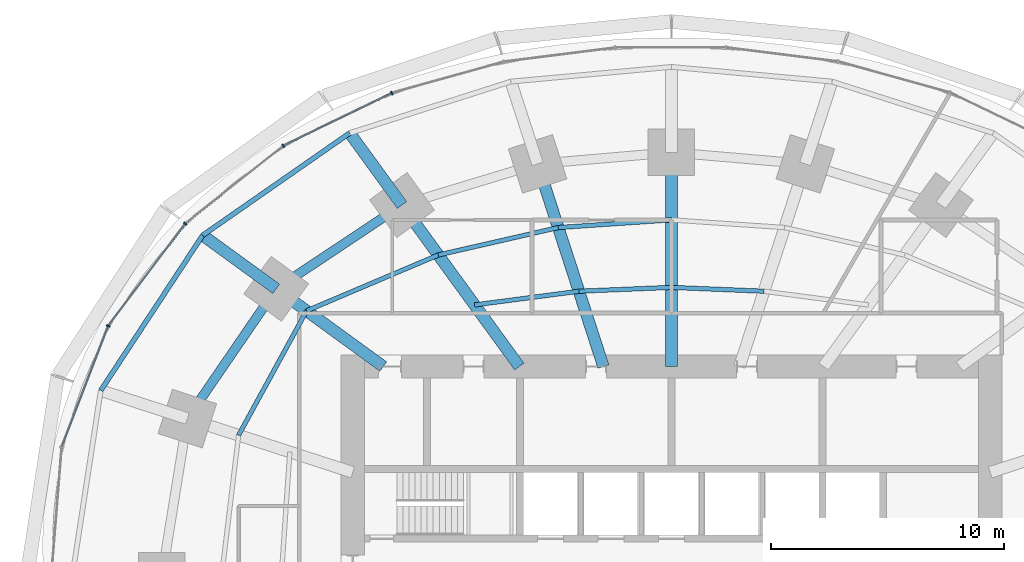
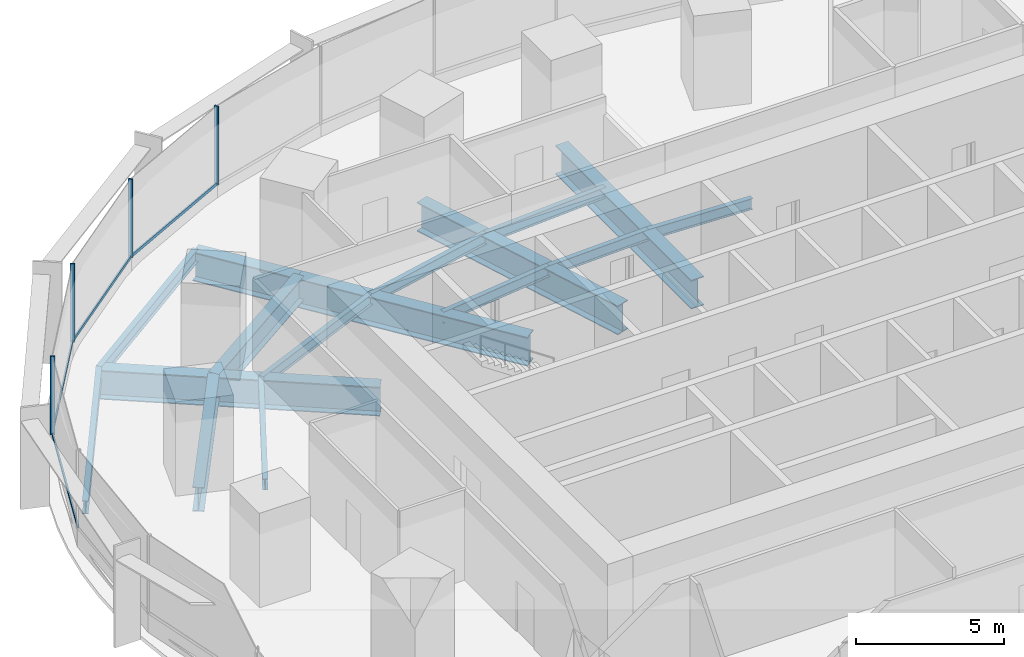
# One storey, part 7 of 15: 17 beams, 8 members, 1 element without a shape of its own.
"""IFC4 building model written with IfcOpenShell, lengths in metres."""

import ifcopenshell
import ifcopenshell.guid

model = None  # the IFC model being written
_history = None  # IfcOwnerHistory: only IFC2X3 demands one
_inside = {}  # id of a spatial element -> (the spatial element, [elements in it])
_under = {}  # id of a project, library or spatial element -> (it, [spatial elements below it])
_declared = {}  # id of a project -> (the project, [libraries it declares])
_typed = {}  # id of a type object -> (the type object, [elements of that type])
_made_of = {}  # id of a material, layer set ... -> (it, [elements and type objects made of it])


def new_model(schema):
    """Start an empty IFC model of exactly this schema.

    Asked for "IFC4X3", IfcOpenShell would pick the latest addendum, in which some entities
    have other attributes; the version numbers below select the first issue.
    IFC2X3 requires an IfcOwnerHistory on every rooted entity: one is made here for all.
    """
    global model, _history
    if schema == "IFC4X3":
        model = ifcopenshell.file(schema_version=(4, 3, 0, 0))
    else:
        model = ifcopenshell.file(schema=schema)
    _inside.clear()
    _under.clear()
    _declared.clear()
    _typed.clear()
    _made_of.clear()
    _history = None
    if model.schema == "IFC2X3":
        org = make("IfcOrganization", Name="unknown")
        user = make(
            "IfcPersonAndOrganization",
            ThePerson=make("IfcPerson", FamilyName="unknown"),
            TheOrganization=org,
        )
        app = make(
            "IfcApplication",
            ApplicationDeveloper=org,
            Version="unknown",
            ApplicationFullName="unknown",
            ApplicationIdentifier="unknown",
        )
        _history = make(
            "IfcOwnerHistory",
            OwningUser=user,
            OwningApplication=app,
            ChangeAction="ADDED",
            CreationDate=0,
        )
    return model


def make(cls, **values):
    """One entity of the class cls with the attributes given. An attribute that is None is left unset."""
    return model.create_entity(
        cls, **{name: value for name, value in values.items() if value is not None}
    )


def rooted(cls, **values):
    """An entity with a GlobalId (a new one), such as an element, a storey or a relation."""
    return make(cls, GlobalId=ifcopenshell.guid.new(), OwnerHistory=_history, **values)


def si_unit(unit_type, name, prefix=None):
    """IfcSIUnit, for example si_unit("LENGTHUNIT", "METRE", prefix="MILLI")."""
    return make("IfcSIUnit", UnitType=unit_type, Prefix=prefix, Name=name)


def assignment(units):
    """IfcUnitAssignment: the units of a project."""
    return None if units is None else make("IfcUnitAssignment", Units=units)


def point(xyz):
    """IfcCartesianPoint."""
    return None if xyz is None else make("IfcCartesianPoint", Coordinates=xyz)


def direction(xyz):
    """IfcDirection."""
    return None if xyz is None else make("IfcDirection", DirectionRatios=xyz)


def frame(location, z_axis=None, x_axis=None):
    """IfcAxis2Placement3D, a coordinate frame: its origin and axes. An axis left out is left unset."""
    return make(
        "IfcAxis2Placement3D",
        Location=point(location),
        Axis=direction(z_axis),
        RefDirection=direction(x_axis),
    )


def frame_2d(location, x_axis=None):
    """IfcAxis2Placement2D, a coordinate frame in the plane: its origin and x axis."""
    return make(
        "IfcAxis2Placement2D", Location=point(location), RefDirection=direction(x_axis)
    )


def origin():
    """The frame at (0, 0, 0) with its axes left unset."""
    return frame((0.0, 0.0, 0.0))


def origin_2d():
    """The frame at (0, 0) in the plane with its x axis left unset."""
    return frame_2d((0.0, 0.0))


def place(relative_to, where):
    """IfcLocalPlacement: puts the frame where relative to a parent placement (None: the world)."""
    return make(
        "IfcLocalPlacement", PlacementRelTo=relative_to, RelativePlacement=where
    )


def context(
    kind, dimensions, precision=None, world=None, true_north=None, identifier=None
):
    """IfcGeometricRepresentationContext, for example the 3D "Model" context."""
    return make(
        "IfcGeometricRepresentationContext",
        ContextIdentifier=identifier,
        ContextType=kind,
        CoordinateSpaceDimension=dimensions,
        Precision=precision,
        WorldCoordinateSystem=world,
        TrueNorth=true_north,
    )


def subcontext(parent, identifier, kind, view, scale=None):
    """IfcGeometricRepresentationSubContext, for example "Body" below "Model"."""
    return make(
        "IfcGeometricRepresentationSubContext",
        ContextIdentifier=identifier,
        ContextType=kind,
        ParentContext=parent,
        TargetScale=scale,
        TargetView=view,
    )


def project(units=None, contexts=None):
    """IfcProject with its units and contexts."""
    return rooted(
        "IfcProject",
        Name="project",
        RepresentationContexts=contexts,
        UnitsInContext=assignment(units),
    )


def spatial(cls, under=None, at=None, **own):
    """A site, building, storey or space (cls), placed at a placement, below another one or the project."""
    s = rooted(cls, ObjectPlacement=at, **own)
    if under is not None:
        _under.setdefault(under.id(), (under, []))[1].append(s)
    return s


def profile(cls, at=None, kind="AREA", **sizes):
    """A parametric profile (cls). Its sizes go by their IFC names, for example OverallWidth=200.0."""
    return make(cls, ProfileType=kind, Position=at, **sizes)


def rectangle(**sizes):
    """IfcRectangleProfileDef."""
    return profile("IfcRectangleProfileDef", **sizes)


def i_section(**sizes):
    """IfcIShapeProfileDef."""
    return profile("IfcIShapeProfileDef", **sizes)


def extrude(swept, where, along, depth):
    """IfcExtrudedAreaSolid: the profile swept, set in the frame where, extruded along a direction by depth."""
    return make(
        "IfcExtrudedAreaSolid",
        SweptArea=swept,
        Position=where,
        ExtrudedDirection=direction(along),
        Depth=depth,
    )


def shape(context_of_items, identifier, shape_type, items):
    """IfcShapeRepresentation: the items that make up one representation, for example the "Body"."""
    return make(
        "IfcShapeRepresentation",
        ContextOfItems=context_of_items,
        RepresentationIdentifier=identifier,
        RepresentationType=shape_type,
        Items=items,
    )


def material(Name=None, Category=None):
    """IfcMaterial."""
    return make("IfcMaterial", Name=Name, Category=Category)


def material_profile(
    of_material, cross_section, Name=None, Category=None, Priority=None
):
    """IfcMaterialProfile: a cross section and its material."""
    return make(
        "IfcMaterialProfile",
        Name=Name,
        Material=of_material,
        Profile=cross_section,
        Priority=Priority,
        Category=Category,
    )


def profile_set(profiles, Name=None, composite=None):
    """IfcMaterialProfileSet."""
    return make(
        "IfcMaterialProfileSet",
        Name=Name,
        MaterialProfiles=profiles,
        CompositeProfile=composite,
    )


def made_of(thing, what):
    """Note that an element or type object is made of a material, layer set ...; save() writes the relation."""
    if what is not None:
        _made_of.setdefault(what.id(), (what, []))[1].append(thing)
    return thing


def type_object(cls, material=None, **own):
    """A type object (cls), such as IfcWallType, which elements share."""
    return made_of(rooted(cls, **own), material)


def element(
    cls,
    number,
    at=None,
    inside=None,
    cuts=None,
    type_object=None,
    material=None,
    context=None,
    identifier="Body",
    shape_type=None,
    held_by="IfcProductDefinitionShape",
    body=None,
    shapes=None,
    **own,
):
    """One element of the class cls, such as IfcWall. Its Tag is "e" and its number.

    at: its placement. inside: the storey or other place that contains it. cuts: it is an
    opening in that element (IfcRelVoidsElement). A single representation is given by context,
    identifier, shape_type and body (its items); several are given by shapes. held_by: the class
    of the entity that holds the representations. save() writes the other relations.
    """
    e = rooted(cls, Tag="e%d" % number, ObjectPlacement=at, **own)
    if body is not None:
        shapes = [shape(context, identifier, shape_type, body)]
    if shapes is not None:
        e.Representation = make(held_by, Representations=shapes)
    if inside is not None:
        _inside.setdefault(inside.id(), (inside, []))[1].append(e)
    if cuts is not None:
        rooted(
            "IfcRelVoidsElement", RelatingBuildingElement=cuts, RelatedOpeningElement=e
        )
    if type_object is not None:
        _typed.setdefault(type_object.id(), (type_object, []))[1].append(e)
    return made_of(e, material)


def aggregate(whole, parts):
    """IfcRelAggregates: a whole, such as a stair, and the parts it consists of."""
    return rooted("IfcRelAggregates", RelatingObject=whole, RelatedObjects=parts)


def save(model, path):
    """Write the relations noted so far, then the file.

    IfcRelAggregates (storeys below a building ...), IfcRelContainedInSpatialStructure (elements
    in a storey), IfcRelDefinesByType, IfcRelAssociatesMaterial and IfcRelDeclares: one each for
    every whole, place, type object, material and project.
    """
    for whole, parts in _under.values():
        aggregate(whole, parts)
    for where, things in _inside.values():
        rooted(
            "IfcRelContainedInSpatialStructure",
            RelatedElements=things,
            RelatingStructure=where,
        )
    for kind, things in _typed.values():
        rooted("IfcRelDefinesByType", RelatedObjects=things, RelatingType=kind)
    for what, things in _made_of.values():
        rooted("IfcRelAssociatesMaterial", RelatedObjects=things, RelatingMaterial=what)
    for by, libraries in _declared.values():
        rooted("IfcRelDeclares", RelatingContext=by, RelatedDefinitions=libraries)
    model.write(path)


model = new_model("IFC4")

# Units and contexts
model_context = context("Model", 3, precision=1e-05, world=origin(), true_north=direction((0.0, 1.0)))
body_context = subcontext(model_context, "Body", "Model", "MODEL_VIEW")
ifc_project = project(units=[si_unit("LENGTHUNIT", "METRE"), si_unit("AREAUNIT", "SQUARE_METRE"), si_unit("VOLUMEUNIT", "CUBIC_METRE"), si_unit("PLANEANGLEUNIT", "RADIAN"), si_unit("MASSUNIT", "GRAM", prefix="KILO")], contexts=[model_context])

# Site, building, storey
site_placement = place(None, origin())
site = spatial("IfcSite", under=ifc_project, at=site_placement, CompositionType="ELEMENT")
building_placement = place(site_placement, origin())
building = spatial("IfcBuilding", under=site, at=building_placement, Name="Marramba Exchange Tower", CompositionType="ELEMENT")
storey_placement = place(building_placement, frame((0.0, 0.0, 78.39990234375)))
storey = spatial("IfcBuildingStorey", under=building, at=storey_placement, Name="L18", CompositionType="ELEMENT", Elevation=78.39990234375)

# Beams
ifc_material_1 = material(Name="Steel AS/NZS 3679.2 grade 300", Category="steel")
ifc_material_profile_1 = material_profile(ifc_material_1, i_section(OverallWidth=0.5, OverallDepth=1.199951171875, WebThickness=0.01611328125, FlangeThickness=0.0400390625, at=origin_2d()), Name="1200WB455")
ifc_profile_set_1 = profile_set([ifc_material_profile_1], Name="Steel AS/NZS 3679.2 grade 300")
beam_type_1 = type_object("IfcBeamType", Name="Cantilever girder 1200WB455", PredefinedType="BEAM", material=ifc_profile_set_1)
beam_1_placement = place(storey_placement, frame((-11.581298828125, 15.9404296875, -0.760009765625), z_axis=(-0.587795827483, 0.809009310944, 0.0), x_axis=(-0.809009310944, -0.587795827483, 0.0)))
element("IfcBeam", 1, at=beam_1_placement, inside=storey, type_object=beam_type_1, Name="Cantilever girder L18 TC08", PredefinedType="BEAM", context=body_context, shape_type="SweptSolid", body=[
    extrude(i_section(OverallWidth=0.5, OverallDepth=1.199951171875, WebThickness=0.01611328125, FlangeThickness=0.0400390625, at=origin_2d()), origin(), (0.0, 0.0, 1.0), 3.82421875),
])
beam_2_placement = place(storey_placement, frame((-16.98583984375, 12.3408203125, -0.760009765625), z_axis=(-0.808987260856, 0.587826174793, 0.0), x_axis=(-0.587826174793, -0.808987260856, 0.0)))
element("IfcBeam", 2, at=beam_2_placement, inside=storey, type_object=beam_type_1, Name="Cantilever girder L18 TC09", PredefinedType="BEAM", context=body_context, shape_type="SweptSolid", body=[
    extrude(i_section(OverallWidth=0.5, OverallDepth=1.199951171875, WebThickness=0.01611328125, FlangeThickness=0.0400390625, at=origin_2d()), origin(), (0.0, 0.0, 1.0), 3.90771484375),
])
ifc_material_2 = material(Name="Steel AS/NZS 3679.1 grade 300", Category="steel")
ifc_material_profile_2 = material_profile(ifc_material_2, i_section(OverallWidth=0.18994140625, OverallDepth=0.4541015625, WebThickness=0.008544921875, FlangeThickness=0.0126953125, FilletRadius=0.011474609375, at=origin_2d()), Name="460UB67.1")
ifc_profile_set_2 = profile_set([ifc_material_profile_2], Name="Steel AS/NZS 3679.1 grade 300")
beam_type_2 = type_object("IfcBeamType", Name="Floor joist 460UB67.1", PredefinedType="JOIST", material=ifc_profile_set_2)
for number, where, z_axis, x_axis, name in (
    (3, (3.975830078125, 12.236083984375, -0.386962890625), (-0.999137002892, 0.041536122257, 0.0), (-0.041536122257, -0.999137002892, 0.0), "Joist L18 bay 05 row 1"),
    (4, (0.0, 12.4013671875, -0.386962890625), (-0.999137002892, -0.041536122257, 0.0), (0.041536122257, -0.999137002892, 0.0), "Joist L18 bay 06 row 1"),
):
    element("IfcBeam", number, at=place(storey_placement, frame(where, z_axis=z_axis, x_axis=x_axis)), inside=storey, type_object=beam_type_2, Name=name, PredefinedType="JOIST", context=body_context, shape_type="SweptSolid", body=[
        extrude(i_section(OverallWidth=0.18994140625, OverallDepth=0.4541015625, WebThickness=0.008544921875, FlangeThickness=0.0126953125, FilletRadius=0.011474609375, at=origin_2d()), origin(), (0.0, 0.0, 1.0), 3.979248046875),
    ])
beam_3_placement = place(storey_placement, frame((0.0, 15.302734375, -0.386962890625), z_axis=(-0.997702652202, -0.067745241816, 0.0), x_axis=(0.067745241816, -0.997702652202, 0.0)))
element("IfcBeam", 5, at=beam_3_placement, inside=storey, type_object=beam_type_2, Name="Joist L18 bay 06 row 2", PredefinedType="JOIST", context=body_context, shape_type="SweptSolid", body=[
    extrude(i_section(OverallWidth=0.18994140625, OverallDepth=0.4541015625, WebThickness=0.008544921875, FlangeThickness=0.0126953125, FilletRadius=0.011474609375, at=origin_2d()), origin(), (0.0, 0.0, 1.0), 4.8759765625),
])
beam_4_placement = place(storey_placement, frame((-3.975830078125, 12.236083984375, -0.386962890625), z_axis=(-0.991480538255, -0.130254912618, 0.0), x_axis=(0.130254912618, -0.991480538255, 0.0)))
element("IfcBeam", 6, at=beam_4_placement, inside=storey, type_object=beam_type_2, Name="Joist L18 bay 07 row 1", PredefinedType="JOIST", context=body_context, shape_type="SweptSolid", body=[
    extrude(i_section(OverallWidth=0.18994140625, OverallDepth=0.4541015625, WebThickness=0.008544921875, FlangeThickness=0.0126953125, FilletRadius=0.011474609375, at=origin_2d()), origin(), (0.0, 0.0, 1.0), 4.524658203125),
])
beam_5_placement = place(storey_placement, frame((-4.86474609375, 14.972412109375, -0.386962890625), z_axis=(-0.974859652292, -0.222819788916, 0.0), x_axis=(0.222819788916, -0.974859652292, 0.0)))
element("IfcBeam", 7, at=beam_5_placement, inside=storey, type_object=beam_type_2, Name="Joist L18 bay 07 row 2", PredefinedType="JOIST", context=body_context, shape_type="SweptSolid", body=[
    extrude(i_section(OverallWidth=0.18994140625, OverallDepth=0.4541015625, WebThickness=0.008544921875, FlangeThickness=0.0126953125, FilletRadius=0.011474609375, at=origin_2d()), origin(), (0.0, 0.0, 1.0), 5.2900390625),
])
beam_6_placement = place(storey_placement, frame((-10.021728515625, 13.793701171875, -0.386962890625), z_axis=(-0.920674336375, -0.390331610738, 0.0), x_axis=(0.390331610738, -0.920674336375, 0.0)))
element("IfcBeam", 8, at=beam_6_placement, inside=storey, type_object=beam_type_2, Name="Joist L18 bay 08 row 2", PredefinedType="JOIST", context=body_context, shape_type="SweptSolid", body=[
    extrude(i_section(OverallWidth=0.18994140625, OverallDepth=0.4541015625, WebThickness=0.008544921875, FlangeThickness=0.0126953125, FilletRadius=0.011474609375, at=origin_2d()), origin(), (0.0, 0.0, 1.0), 6.1484375),
])
beam_7_placement = place(storey_placement, frame((-15.682373046875, 11.393798828125, -0.386962890625), z_axis=(-0.479584443791, -0.877495732909, 0.0), x_axis=(0.877495732909, -0.479584443791, 0.0)))
element("IfcBeam", 9, at=beam_7_placement, inside=storey, type_object=beam_type_2, Name="Joist L18 bay 09 row 2", PredefinedType="JOIST", context=body_context, shape_type="SweptSolid", body=[
    extrude(i_section(OverallWidth=0.18994140625, OverallDepth=0.4541015625, WebThickness=0.008544921875, FlangeThickness=0.0126953125, FilletRadius=0.011474609375, at=origin_2d()), origin(), (0.0, 0.0, 1.0), 6.094970703125),
])
ifc_material_profile_3 = material_profile(ifc_material_1, i_section(OverallWidth=0.5, OverallDepth=1.199951171875, WebThickness=0.01611328125, FlangeThickness=0.0400390625, at=origin_2d()), Name="1200WB455")
ifc_profile_set_3 = profile_set([ifc_material_profile_3], Name="Steel AS/NZS 3679.2 grade 300")
beam_type_3 = type_object("IfcBeamType", Name="Radial girder 1200WB455", PredefinedType="BEAM", material=ifc_profile_set_3)
beam_8_placement = place(storey_placement, frame((0.0, 9.0, -0.760009765625), z_axis=(0.0, 1.0, 0.0), x_axis=(-1.0, 0.0, 0.0)))
element("IfcBeam", 10, at=beam_8_placement, inside=storey, type_object=beam_type_3, Name="Radial girder L18 TC06", PredefinedType="BEAM", context=body_context, shape_type="SweptSolid", body=[
    extrude(i_section(OverallWidth=0.5, OverallDepth=1.199951171875, WebThickness=0.01611328125, FlangeThickness=0.0400390625, at=origin_2d()), origin(), (0.0, 0.0, 1.0), 9.2041015625),
])
beam_9_placement = place(storey_placement, frame((-2.92431640625, 9.0, -0.760009765625), z_axis=(-0.309019754162, 0.951055619582, 0.0), x_axis=(-0.951055619582, -0.309019754162, 0.0)))
element("IfcBeam", 11, at=beam_9_placement, inside=storey, type_object=beam_type_3, Name="Radial girder L18 TC07", PredefinedType="BEAM", context=body_context, shape_type="SweptSolid", body=[
    extrude(i_section(OverallWidth=0.5, OverallDepth=1.199951171875, WebThickness=0.01611328125, FlangeThickness=0.0400390625, at=origin_2d()), origin(), (0.0, 0.0, 1.0), 9.15673828125),
])
beam_10_placement = place(storey_placement, frame((-6.538818359375, 9.0, -0.760009765625), z_axis=(-0.587782439969, 0.80901903764, 0.0), x_axis=(-0.80901903764, -0.587782439969, 0.0)))
element("IfcBeam", 12, at=beam_10_placement, inside=storey, type_object=beam_type_3, Name="Radial girder L18 TC08", PredefinedType="BEAM", context=body_context, shape_type="SweptSolid", body=[
    extrude(i_section(OverallWidth=0.5, OverallDepth=1.199951171875, WebThickness=0.01611328125, FlangeThickness=0.0400390625, at=origin_2d()), origin(), (0.0, 0.0, 1.0), 8.578857421875),
])
beam_11_placement = place(storey_placement, frame((-12.387451171875, 9.0, -0.760009765625), z_axis=(-0.809025746925, 0.587773205252, 0.0), x_axis=(-0.587773205252, -0.809025746925, 0.0)))
element("IfcBeam", 13, at=beam_11_placement, inside=storey, type_object=beam_type_3, Name="Radial girder L18 TC09", PredefinedType="BEAM", context=body_context, shape_type="SweptSolid", body=[
    extrude(i_section(OverallWidth=0.5, OverallDepth=1.199951171875, WebThickness=0.01611328125, FlangeThickness=0.0400390625, at=origin_2d()), origin(), (0.0, 0.0, 1.0), 5.683837890625),
])
ifc_material_profile_4 = material_profile(ifc_material_1, i_section(OverallWidth=0.39990234375, OverallDepth=1.0, WebThickness=0.01611328125, FlangeThickness=0.031982421875, at=origin_2d()), Name="1000WB322")
ifc_profile_set_4 = profile_set([ifc_material_profile_4], Name="Steel AS/NZS 3679.2 grade 300")
beam_type_4 = type_object("IfcBeamType", Name="Ring beam 1000WB322", PredefinedType="SPANDREL", material=ifc_profile_set_4)
beam_12_placement = place(storey_placement, frame((-11.581298828125, 15.9404296875, -0.659912109375), z_axis=(-0.832293151443, -0.554335737673, 0.0), x_axis=(0.554335737673, -0.832293151443, 0.0)))
element("IfcBeam", 14, at=beam_12_placement, inside=storey, type_object=beam_type_4, Name="Ring beam L18 TC08-TC09", PredefinedType="SPANDREL", context=body_context, shape_type="SweptSolid", body=[
    extrude(i_section(OverallWidth=0.39990234375, OverallDepth=1.0, WebThickness=0.01611328125, FlangeThickness=0.031982421875, at=origin_2d()), origin(), (0.0, 0.0, 1.0), 6.49365234375),
])
beam_13_placement = place(storey_placement, frame((-16.98583984375, 12.3408203125, -0.659912109375), z_axis=(-0.56516002054, -0.824981303535, 0.0), x_axis=(0.824981303535, -0.56516002054, 0.0)))
element("IfcBeam", 15, at=beam_13_placement, inside=storey, type_object=beam_type_4, Name="Ring beam L18 TC09-TC10", PredefinedType="SPANDREL", context=body_context, shape_type="SweptSolid", body=[
    extrude(i_section(OverallWidth=0.39990234375, OverallDepth=1.0, WebThickness=0.01611328125, FlangeThickness=0.031982421875, at=origin_2d()), origin(), (0.0, 0.0, 1.0), 6.763671875),
])
ifc_material_profile_5 = material_profile(ifc_material_2, i_section(OverallWidth=0.208984375, OverallDepth=0.528076171875, WebThickness=0.009521484375, FlangeThickness=0.01318359375, FilletRadius=0.013916015625, at=origin_2d()), Name="530UB82.0")
ifc_profile_set_5 = profile_set([ifc_material_profile_5], Name="Steel AS/NZS 3679.1 grade 300")
beam_type_5 = type_object("IfcBeamType", Name="Slab edge beam 530UB82.0", PredefinedType="SPANDREL", material=ifc_profile_set_5)
beam_14_placement = place(storey_placement, frame((-13.8291015625, 19.0341796875, -0.423828125), z_axis=(-0.820842487183, -0.571154629882, 0.0), x_axis=(0.571154629882, -0.820842487183, 0.0)))
element("IfcBeam", 16, at=beam_14_placement, inside=storey, type_object=beam_type_5, Name="Slab edge beam L18 TC08-TC09", PredefinedType="SPANDREL", context=body_context, shape_type="SweptSolid", body=[
    extrude(i_section(OverallWidth=0.208984375, OverallDepth=0.528076171875, WebThickness=0.009521484375, FlangeThickness=0.01318359375, FilletRadius=0.013916015625, at=origin_2d()), origin(), (0.0, 0.0, 1.0), 7.697021484375),
])
beam_15_placement = place(storey_placement, frame((-20.147216796875, 14.637939453125, -0.423828125), z_axis=(-0.549123544095, -0.835741188001, 0.0), x_axis=(0.835741188001, -0.549123544095, 0.0)))
element("IfcBeam", 17, at=beam_15_placement, inside=storey, type_object=beam_type_5, Name="Slab edge beam L18 TC09-TC10", PredefinedType="SPANDREL", context=body_context, shape_type="SweptSolid", body=[
    extrude(i_section(OverallWidth=0.208984375, OverallDepth=0.528076171875, WebThickness=0.009521484375, FlangeThickness=0.01318359375, FilletRadius=0.013916015625, at=origin_2d()), origin(), (0.0, 0.0, 1.0), 7.978759765625),
])

# Curtain wall, members
ifc_material_3 = material(Name="Aluminium framing, bronze anodised", Category="aluminium")
curtain_wall_type = type_object("IfcCurtainWallType", Name="Trading floor ribbon curtain wall", PredefinedType="USERDEFINED", material=ifc_material_3)
curtain_wall_placement = place(storey_placement, origin())
curtain_wall = element("IfcCurtainWall", 18, at=curtain_wall_placement, inside=storey, type_object=curtain_wall_type, Name="Curtain wall CW3 L18 F11-F15", ObjectType="RIBBON CURTAIN WALL", PredefinedType="USERDEFINED")
ifc_material_4 = material(Name="Aluminium mullion, bronze anodised", Category="aluminium")
ifc_material_profile_6 = material_profile(ifc_material_4, rectangle(XDim=0.159912109375, YDim=0.06005859375, at=origin_2d()), Name="CW3 mullion 60x160")
ifc_profile_set_6 = profile_set([ifc_material_profile_6], Name="Aluminium mullion, bronze anodised")
member_type_1 = type_object("IfcMemberType", Name="Trading floor ribbon curtain wall mullion", PredefinedType="MULLION", material=ifc_profile_set_6)
member_1_placement = place(storey_placement, frame((-12.016357421875, 20.7529296875, 0.800048828125), z_axis=(0.0, 0.0, 1.0), x_axis=(0.43596538664, -0.899963433508, 0.0)))
member_1 = element("IfcMember", 19, at=member_1_placement, type_object=member_type_1, Name="CW3 mullion 1", PredefinedType="MULLION", context=body_context, shape_type="SweptSolid", body=[
    extrude(rectangle(XDim=0.159912109375, YDim=0.06005859375, at=origin_2d()), origin(), (0.0, 0.0, 1.0), 3.239990234375),
])
member_2_placement = place(storey_placement, frame((-16.683837890625, 18.484619140625, 0.800048828125), z_axis=(0.0, 0.0, 1.0), x_axis=(0.620649730166, -0.784087949432, 0.0)))
member_2 = element("IfcMember", 20, at=member_2_placement, type_object=member_type_1, Name="CW3 mullion 1", PredefinedType="MULLION", context=body_context, shape_type="SweptSolid", body=[
    extrude(rectangle(XDim=0.159912109375, YDim=0.06005859375, at=origin_2d()), origin(), (0.0, 0.0, 1.0), 3.239990234375),
])
member_3_placement = place(storey_placement, frame((-20.8935546875, 15.142822265625, 0.800048828125), z_axis=(0.0, 0.0, 1.0), x_axis=(0.797748922445, -0.602989765036, 0.0)))
member_3 = element("IfcMember", 21, at=member_3_placement, type_object=member_type_1, Name="CW3 mullion 1", PredefinedType="MULLION", context=body_context, shape_type="SweptSolid", body=[
    extrude(rectangle(XDim=0.159912109375, YDim=0.06005859375, at=origin_2d()), origin(), (0.0, 0.0, 1.0), 3.239990234375),
])
member_4_placement = place(storey_placement, frame((-24.207275390625, 10.7451171875, 0.800048828125), z_axis=(0.0, 0.0, 1.0), x_axis=(0.933135256626, -0.359525510698, 0.0)))
member_4 = element("IfcMember", 22, at=member_4_placement, type_object=member_type_1, Name="CW3 mullion 1", PredefinedType="MULLION", context=body_context, shape_type="SweptSolid", body=[
    extrude(rectangle(XDim=0.159912109375, YDim=0.06005859375, at=origin_2d()), origin(), (0.0, 0.0, 1.0), 3.239990234375),
])
ifc_material_5 = material(Name="Aluminium transom, bronze anodised", Category="aluminium")
ifc_material_profile_7 = material_profile(ifc_material_5, rectangle(XDim=0.06005859375, YDim=0.1201171875, at=origin_2d()), Name="CW3 transom 60x120")
ifc_profile_set_7 = profile_set([ifc_material_profile_7], Name="Aluminium transom, bronze anodised")
member_type_2 = type_object("IfcMemberType", Name="Trading floor ribbon curtain wall transom", PredefinedType="USERDEFINED", material=ifc_profile_set_7)
member_5_placement = place(storey_placement, frame((-12.043212890625, 20.739990234375, 0.830078125), z_axis=(-0.89995331781, -0.43598626786, 0.0), x_axis=(0.43598626786, -0.89995331781, 0.0)))
member_5 = element("IfcMember", 23, at=member_5_placement, type_object=member_type_2, Name="CW3 sill transom", ObjectType="TRANSOM", PredefinedType="USERDEFINED", context=body_context, shape_type="SweptSolid", body=[
    extrude(rectangle(XDim=0.06005859375, YDim=0.1201171875, at=origin_2d()), origin(), (0.0, 0.0, 1.0), 5.13037109375),
])
member_6_placement = place(storey_placement, frame((-16.70751953125, 18.466064453125, 0.830078125), z_axis=(-0.784075625018, -0.620665299701, 0.0), x_axis=(0.620665299701, -0.784075625018, 0.0)))
member_6 = element("IfcMember", 24, at=member_6_placement, type_object=member_type_2, Name="CW3 sill transom", ObjectType="TRANSOM", PredefinedType="USERDEFINED", context=body_context, shape_type="SweptSolid", body=[
    extrude(rectangle(XDim=0.06005859375, YDim=0.1201171875, at=origin_2d()), origin(), (0.0, 0.0, 1.0), 5.315673828125),
])
member_7_placement = place(storey_placement, frame((-20.91162109375, 15.118896484375, 0.830078125), z_axis=(-0.602985866158, -0.797751869452, 0.0), x_axis=(0.797751869452, -0.602985866158, 0.0)))
member_7 = element("IfcMember", 25, at=member_7_placement, type_object=member_type_2, Name="CW3 sill transom", ObjectType="TRANSOM", PredefinedType="USERDEFINED", context=body_context, shape_type="SweptSolid", body=[
    extrude(rectangle(XDim=0.06005859375, YDim=0.1201171875, at=origin_2d()), origin(), (0.0, 0.0, 1.0), 5.44775390625),
])
member_8_placement = place(storey_placement, frame((-24.218017578125, 10.717041015625, 0.830078125), z_axis=(-0.359533581349, -0.933132147063, 0.0), x_axis=(0.933132147063, -0.359533581349, 0.0)))
member_8 = element("IfcMember", 26, at=member_8_placement, type_object=member_type_2, Name="CW3 sill transom", ObjectType="TRANSOM", PredefinedType="USERDEFINED", context=body_context, shape_type="SweptSolid", body=[
    extrude(rectangle(XDim=0.06005859375, YDim=0.1201171875, at=origin_2d()), origin(), (0.0, 0.0, 1.0), 5.5166015625),
])
aggregate(curtain_wall, [member_1, member_5, member_2, member_6, member_3, member_7, member_4, member_8])

save(model, "model.ifc")
